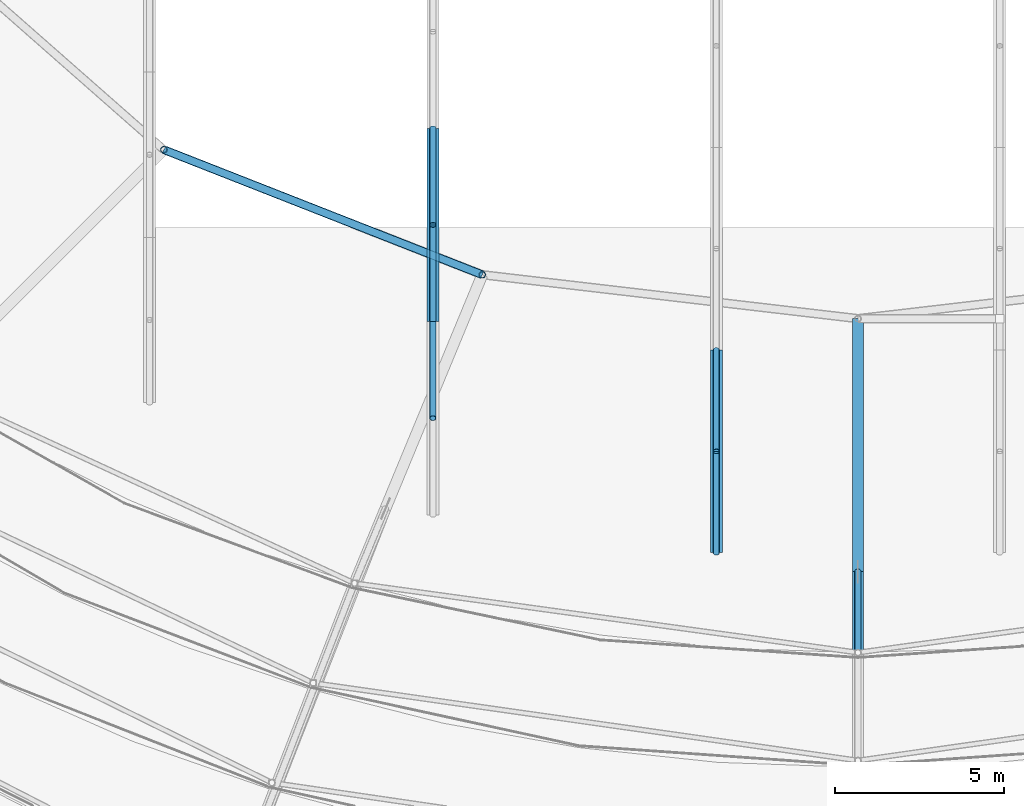
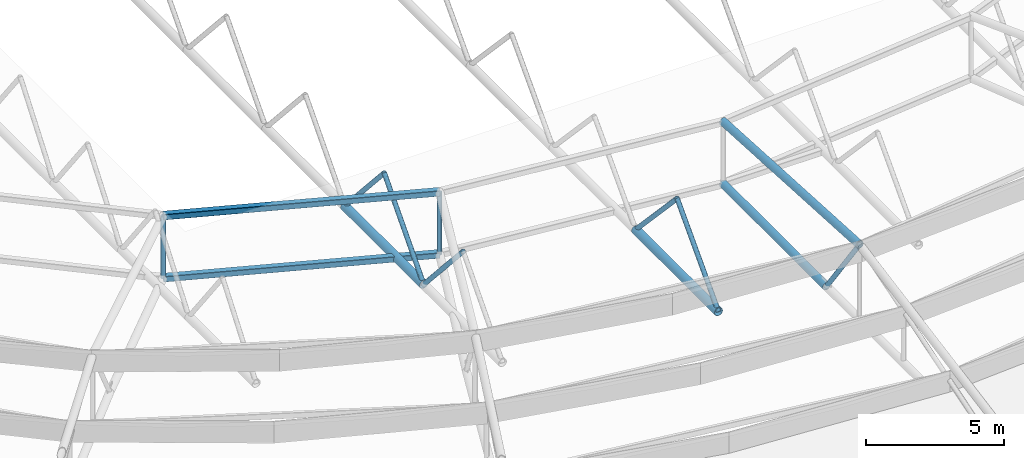
# One storey, part 14 of 134: 14 members.
"""IFC4 building model written with IfcOpenShell, lengths in metres."""

from ifc_helpers import new_model, si_unit, derived_unit, direction, frame, origin, origin_2d, place, context, subcontext, project, spatial, hollow_rectangle, hollow_circle, extrude, material, material_profile, profile_set, type_object, element, save


model = new_model("IFC4")

# Units and contexts
model_context = context("Model", 3, precision=1e-05, world=origin(), true_north=direction((0.0, 1.0)))
body_context = subcontext(model_context, "Body", "Model", "MODEL_VIEW")
ifc_project = project(units=[si_unit("LENGTHUNIT", "METRE"), si_unit("AREAUNIT", "SQUARE_METRE"), si_unit("VOLUMEUNIT", "CUBIC_METRE"), si_unit("PLANEANGLEUNIT", "RADIAN"), si_unit("MASSUNIT", "GRAM", prefix="KILO"), derived_unit("THERMALTRANSMITTANCEUNIT", [(si_unit("MASSUNIT", "GRAM", prefix="KILO"), 1), (si_unit("TIMEUNIT", "SECOND"), -3), (si_unit("THERMODYNAMICTEMPERATUREUNIT", "KELVIN"), -1)])], contexts=[model_context])

# Site, building, storey
site_placement = place(None, origin())
site = spatial("IfcSite", under=ifc_project, at=site_placement, CompositionType="ELEMENT")
building_placement = place(site_placement, origin())
building = spatial("IfcBuilding", under=site, at=building_placement, Name="Kharveza Railside Sports Centre", CompositionType="ELEMENT")
storey_placement = place(building_placement, frame((0.0, 0.0, 12.89990234375)))
storey = spatial("IfcBuildingStorey", under=building, at=storey_placement, Name="L03", CompositionType="ELEMENT", Elevation=12.89990234375)

# Members
ifc_material = material(Name="Steel S355J2", Category="steel")
ifc_material_profile_1 = material_profile(ifc_material, hollow_circle(Radius=0.177734375, WallThickness=0.01611328125, at=origin_2d()), Name="CHS 355.6x16.0")
ifc_profile_set_1 = profile_set([ifc_material_profile_1], Name="Steel S355J2")
member_type_1 = type_object("IfcMemberType", Name="MB-CH01", PredefinedType="CHORD", material=ifc_profile_set_1)
member_1_placement = place(storey_placement, frame((42.0, 33.21337890625, -0.0498046875), z_axis=(0.0, 1.0, 0.0), x_axis=(-1.0, 0.0, 0.0)))
element("IfcMember", 1, at=member_1_placement, inside=storey, type_object=member_type_1, Name="MB-V1TR-BC-2-2", PredefinedType="CHORD", context=body_context, shape_type="SweptSolid", body=[
    extrude(hollow_circle(Radius=0.177734375, WallThickness=0.01611328125, at=origin_2d()), origin(), (0.0, 0.0, 1.0), 5.72900390625),
])
member_2_placement = place(storey_placement, frame((50.39990234375, 26.361572265625, -0.0498046875), z_axis=(0.0, 1.0, 0.0), x_axis=(-1.0, 0.0, 0.0)))
element("IfcMember", 2, at=member_2_placement, inside=storey, type_object=member_type_1, Name="MB-V1TR-BC-3-1", PredefinedType="CHORD", context=body_context, shape_type="SweptSolid", body=[
    extrude(hollow_circle(Radius=0.177734375, WallThickness=0.01611328125, at=origin_2d()), origin(), (0.0, 0.0, 1.0), 6.009521484375),
])
ifc_material_profile_2 = material_profile(ifc_material, hollow_circle(Radius=0.161865234375, WallThickness=0.01611328125, at=origin_2d()), Name="CHS 323.9x16.0")
ifc_profile_set_2 = profile_set([ifc_material_profile_2], Name="Steel S355J2")
member_type_2 = type_object("IfcMemberType", Name="MB-CH02", PredefinedType="CHORD", material=ifc_profile_set_2)
member_3_placement = place(storey_placement, frame((54.60009765625, 33.300048828125, -0.0498046875), z_axis=(0.0, -1.0, 0.0), x_axis=(1.0, 0.0, 0.0)))
element("IfcMember", 3, at=member_3_placement, inside=storey, type_object=member_type_2, Name="MB-OUT-BC1-13", PredefinedType="CHORD", context=body_context, shape_type="SweptSolid", body=[
    extrude(hollow_circle(Radius=0.161865234375, WallThickness=0.01611328125, at=origin_2d()), origin(), (0.0, 0.0, 1.0), 7.5),
])
member_4_placement = place(storey_placement, frame((54.60009765625, 33.300048828125, 2.7001953125), z_axis=(0.0, -0.998461489413, 0.055449564108), x_axis=(1.0, 0.0, 0.0)))
element("IfcMember", 4, at=member_4_placement, inside=storey, type_object=member_type_2, Name="MB-OUT-TC1-13", PredefinedType="CHORD", context=body_context, shape_type="SweptSolid", body=[
    extrude(hollow_circle(Radius=0.161865234375, WallThickness=0.01611328125, at=origin_2d()), origin(), (0.0, 0.0, 1.0), 9.915283203125),
])
ifc_material_profile_3 = material_profile(ifc_material, hollow_rectangle(XDim=0.25, YDim=0.25, WallThickness=0.012451171875, InnerFilletRadius=0.012451171875, OuterFilletRadius=0.02490234375, at=origin_2d()), Name="SHS 250x250x12.5")
ifc_profile_set_3 = profile_set([ifc_material_profile_3], Name="Steel S355J2")
member_type_3 = type_object("IfcMemberType", Name="MB-CH05", PredefinedType="CHORD", material=ifc_profile_set_3)
for number, where, z_axis, x_axis, name in (
    (5, (34.023193359375, 38.30859375, -0.0498046875), (0.930820233657, -0.365477348977, 0.0), (0.365477348977, 0.930820233657, 0.0), "MB-INRING-BOT-11"),
    (6, (34.023193359375, 38.30859375, 2.7001953125), (0.930820233657, -0.365477348977, 0.0), (0.365477348977, 0.930820233657, 0.0), "MB-INRING-TOP-11"),
):
    element("IfcMember", number, at=place(storey_placement, frame(where, z_axis=z_axis, x_axis=x_axis)), inside=storey, type_object=member_type_3, Name=name, PredefinedType="CHORD", context=body_context, shape_type="SweptSolid", body=[
        extrude(hollow_rectangle(XDim=0.25, YDim=0.25, WallThickness=0.012451171875, InnerFilletRadius=0.012451171875, OuterFilletRadius=0.02490234375, at=origin_2d()), origin(), (0.0, 0.0, 1.0), 10.142333984375),
    ])
ifc_material_profile_4 = material_profile(ifc_material, hollow_circle(Radius=0.096923828125, WallThickness=0.010009765625, at=origin_2d()), Name="CHS 193.7x10.0")
ifc_profile_set_4 = profile_set([ifc_material_profile_4], Name="Steel S355J2")
member_type_4 = type_object("IfcMemberType", Name="MB-ST02", PredefinedType="STRUT", material=ifc_profile_set_4)
for number, where, z_axis, x_axis, name in (
    (7, (34.023193359375, 38.30859375, -0.0498046875), (0.0, 0.0, 1.0), (1.0, 0.0, 0.0), "MB-OUT-WEB-11-1"),
    (8, (43.4638671875, 34.601806640625, -0.0498046875), (0.0, 0.0, 1.0), (1.0, 0.0, 0.0), "MB-OUT-WEB-12-1"),
):
    element("IfcMember", number, at=place(storey_placement, frame(where, z_axis=z_axis, x_axis=x_axis)), inside=storey, type_object=member_type_4, Name=name, PredefinedType="STRUT", context=body_context, shape_type="SweptSolid", body=[
        extrude(hollow_circle(Radius=0.096923828125, WallThickness=0.010009765625, at=origin_2d()), origin(), (0.0, 0.0, 1.0), 2.75),
    ])
member_5_placement = place(storey_placement, frame((54.60009765625, 25.800048828125, -0.0498046875), z_axis=(0.0, -0.588217945983, 0.808702447148), x_axis=(1.0, 0.0, 0.0)))
element("IfcMember", 9, at=member_5_placement, inside=storey, type_object=member_type_4, Name="MB-OUT-WEB-13-2", PredefinedType="STRUT", context=body_context, shape_type="SweptSolid", body=[
    extrude(hollow_circle(Radius=0.096923828125, WallThickness=0.010009765625, at=origin_2d()), origin(), (0.0, 0.0, 1.0), 4.080322265625),
])
for number, where, z_axis, x_axis, name in (
    (10, (42.0, 30.34912109375, 3.150146484375), (0.0, 0.666942739043, -0.745108973801), (-1.0, 0.0, 0.0), "MB-V1TR-D2-2-1"),
    (11, (42.0, 33.21337890625, -0.0498046875), (0.0, 0.666974298635, 0.745080723788), (-1.0, 0.0, 0.0), "MB-V1TR-D1-2-2"),
    (12, (42.0, 36.077880859375, 3.150146484375), (0.0, 0.666974298635, -0.745080723788), (-1.0, 0.0, 0.0), "MB-V1TR-D2-2-2"),
):
    element("IfcMember", number, at=place(storey_placement, frame(where, z_axis=z_axis, x_axis=x_axis)), inside=storey, type_object=member_type_4, Name=name, PredefinedType="STRUT", context=body_context, shape_type="SweptSolid", body=[
        extrude(hollow_circle(Radius=0.096923828125, WallThickness=0.010009765625, at=origin_2d()), origin(), (0.0, 0.0, 1.0), 4.294677734375),
    ])
member_6_placement = place(storey_placement, frame((50.39990234375, 26.361572265625, -0.0498046875), z_axis=(0.0, 0.684508910936, 0.729004493024), x_axis=(-1.0, 0.0, 0.0)))
element("IfcMember", 13, at=member_6_placement, inside=storey, type_object=member_type_4, Name="MB-V1TR-D1-3-1", PredefinedType="STRUT", context=body_context, shape_type="SweptSolid", body=[
    extrude(hollow_circle(Radius=0.096923828125, WallThickness=0.010009765625, at=origin_2d()), origin(), (0.0, 0.0, 1.0), 4.389404296875),
])
member_7_placement = place(storey_placement, frame((50.39990234375, 29.3662109375, 3.150146484375), z_axis=(0.0, 0.684538468084, -0.728976738802), x_axis=(-1.0, 0.0, 0.0)))
element("IfcMember", 14, at=member_7_placement, inside=storey, type_object=member_type_4, Name="MB-V1TR-D2-3-1", PredefinedType="STRUT", context=body_context, shape_type="SweptSolid", body=[
    extrude(hollow_circle(Radius=0.096923828125, WallThickness=0.010009765625, at=origin_2d()), origin(), (0.0, 0.0, 1.0), 4.3896484375),
])

save(model, "model.ifc")
